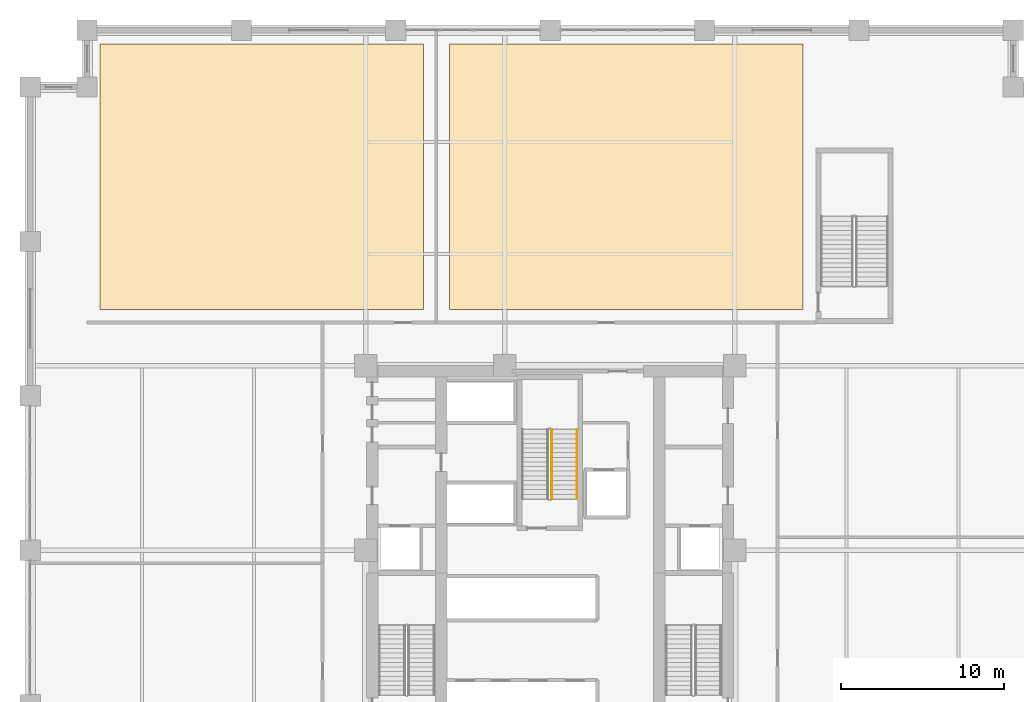
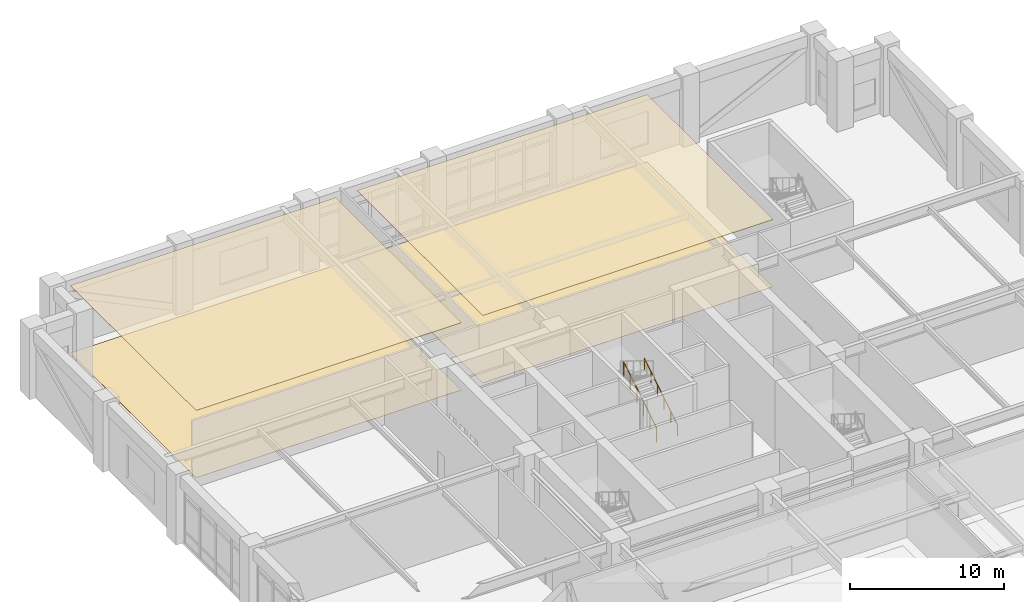
# One storey, part 20 of 21: 4 coverings, 2 railings.
"""IFC4 building model written with IfcOpenShell, lengths in metres."""

from ifc_helpers import new_model, si_unit, direction, frame, origin, origin_2d, place, context, subcontext, project, spatial, polyline, circle, outline, extrude, material, layer, layer_set, type_object, element, save


model = new_model("IFC4")

# Units and contexts
model_context = context("Model", 3, precision=1e-05, world=origin(), true_north=direction((0.0, 1.0)))
body_context = subcontext(model_context, "Body", "Model", "MODEL_VIEW")
ifc_project = project(units=[si_unit("LENGTHUNIT", "METRE"), si_unit("AREAUNIT", "SQUARE_METRE"), si_unit("VOLUMEUNIT", "CUBIC_METRE"), si_unit("PLANEANGLEUNIT", "RADIAN"), si_unit("MASSUNIT", "GRAM", prefix="KILO")], contexts=[model_context])

# Site, building, storey
site_placement = place(None, origin())
site = spatial("IfcSite", under=ifc_project, at=site_placement, CompositionType="ELEMENT")
building_placement = place(site_placement, origin())
building = spatial("IfcBuilding", under=site, at=building_placement, Name="Nhamokura Convention Tower", CompositionType="ELEMENT")
storey_placement = place(building_placement, frame((0.0, 0.0, 12.25)))
storey = spatial("IfcBuildingStorey", under=building, at=storey_placement, Name="L02", CompositionType="ELEMENT", Elevation=12.25)

# Coverings
ifc_material_1 = material(Name="Anodised bronze aluminium ceiling baffle", Category="aluminium")
ifc_layer_1 = layer(ifc_material_1, 0.0400390625)
ifc_layer_set_1 = layer_set([ifc_layer_1], Name="BronzeBaffleCeiling_40")
covering_type_1 = type_object("IfcCoveringType", Name="BronzeBaffleCeiling_40", PredefinedType="CEILING", material=ifc_layer_set_1)
covering_1_placement = place(storey_placement, frame((0.0, 0.0, 5.320068359375)))
element("IfcCovering", 1, at=covering_1_placement, inside=storey, type_object=covering_type_1, Name="L02 Suspended Ceiling 05", PredefinedType="CEILING", context=body_context, shape_type="SweptSolid", body=[
    extrude(outline(polyline([(4.300048828125, 46.800048828125), (24.199951171875, 46.800048828125), (24.199951171875, 63.139892578125), (4.300048828125, 63.139892578125), (4.300048828125, 46.800048828125)])), origin(), (0.0, 0.0, 1.0), 0.0400390625),
])
covering_2_placement = place(storey_placement, frame((0.0, 0.0, 5.320068359375)))
element("IfcCovering", 2, at=covering_2_placement, inside=storey, type_object=covering_type_1, Name="L02 Suspended Ceiling 06", PredefinedType="CEILING", context=body_context, shape_type="SweptSolid", body=[
    extrude(outline(polyline([(25.800048828125, 46.800048828125), (47.550048828125, 46.800048828125), (47.550048828125, 63.139892578125), (25.800048828125, 63.139892578125), (25.800048828125, 46.800048828125)])), origin(), (0.0, 0.0, 1.0), 0.0400390625),
])

# Railings
ifc_material_2 = material(Name="Anodised bronze stainless steel", Category="steel")
railing_type_1 = type_object("IfcRailingType", Name="StairWallHandrail_900", PredefinedType="HANDRAIL", material=ifc_material_2)
railing_1_placement = place(storey_placement, frame((33.64990234375, 35.14990234375, 0.175048828125)))
element("IfcRailing", 3, at=railing_1_placement, inside=storey, type_object=railing_type_1, Name="L02 ST-03 stair handrail 1", PredefinedType="HANDRAIL", context=body_context, shape_type="SweptSolid", body=[
    extrude(circle(Radius=0.02392578125, at=origin_2d()), frame((0.0, 0.0, 0.8759765625), z_axis=(0.0, 0.852179220489, 0.52325001306), x_axis=(-1.0, 0.0, 0.0)), (0.0, 0.0, 1.0), 5.0166015625),
    extrude(circle(Radius=0.02099609375, at=origin_2d()), origin(), (0.0, 0.0, 1.0), 0.851806640625),
    extrude(circle(Radius=0.02099609375, at=origin_2d()), frame((0.0, 0.85498046875, 0.52490234375)), (0.0, 0.0, 1.0), 0.851806640625),
    extrude(circle(Radius=0.02099609375, at=origin_2d()), frame((0.0, 1.7099609375, 1.050048828125)), (0.0, 0.0, 1.0), 0.851806640625),
    extrude(circle(Radius=0.02099609375, at=origin_2d()), frame((0.0, 2.565185546875, 1.574951171875)), (0.0, 0.0, 1.0), 0.851806640625),
    extrude(circle(Radius=0.02099609375, at=origin_2d()), frame((0.0, 3.420166015625, 2.10009765625)), (0.0, 0.0, 1.0), 0.851806640625),
    extrude(circle(Radius=0.02099609375, at=origin_2d()), frame((0.0, 4.275146484375, 2.625)), (0.0, 0.0, 1.0), 0.851806640625),
])
ifc_material_3 = material(Name="Painted tubular steel", Category="steel")
railing_type_2 = type_object("IfcRailingType", Name="StairWellGuardrail_1150", PredefinedType="GUARDRAIL", material=ifc_material_3)
railing_2_placement = place(storey_placement, frame((32.10009765625, 35.14990234375, 0.175048828125)))
element("IfcRailing", 4, at=railing_2_placement, inside=storey, type_object=railing_type_2, Name="L02 ST-03 stair guard 1", PredefinedType="GUARDRAIL", context=body_context, shape_type="SweptSolid", body=[
    extrude(circle(Radius=0.02392578125, at=origin_2d()), frame((0.0, 0.0, 1.1259765625), z_axis=(0.0, 0.852179220489, 0.52325001306), x_axis=(-1.0, 0.0, 0.0)), (0.0, 0.0, 1.0), 5.0166015625),
    extrude(circle(Radius=0.02099609375, at=origin_2d()), origin(), (0.0, 0.0, 1.0), 1.101806640625),
    extrude(circle(Radius=0.02099609375, at=origin_2d()), frame((0.0, 0.85498046875, 0.52490234375)), (0.0, 0.0, 1.0), 1.101806640625),
    extrude(circle(Radius=0.02099609375, at=origin_2d()), frame((0.0, 1.7099609375, 1.050048828125)), (0.0, 0.0, 1.0), 1.101806640625),
    extrude(circle(Radius=0.02099609375, at=origin_2d()), frame((0.0, 2.565185546875, 1.574951171875)), (0.0, 0.0, 1.0), 1.101806640625),
    extrude(circle(Radius=0.02099609375, at=origin_2d()), frame((0.0, 3.420166015625, 2.10009765625)), (0.0, 0.0, 1.0), 1.101806640625),
    extrude(circle(Radius=0.02099609375, at=origin_2d()), frame((0.0, 4.275146484375, 2.625)), (0.0, 0.0, 1.0), 1.101806640625),
])

# Coverings
ifc_material_4 = material(Name="Acoustic woven hospitality carpet", Category="wood")
ifc_layer_2 = layer(ifc_material_4, 0.014892578125)
ifc_layer_set_2 = layer_set([ifc_layer_2], Name="WovenCarpetFlooring_15")
covering_type_2 = type_object("IfcCoveringType", Name="WovenCarpetFlooring_15", PredefinedType="FLOORING", material=ifc_layer_set_2)
covering_3_placement = place(storey_placement, origin())
element("IfcCovering", 5, at=covering_3_placement, inside=storey, type_object=covering_type_2, Name="L02 Finish Flooring 05", PredefinedType="FLOORING", context=body_context, shape_type="SweptSolid", body=[
    extrude(outline(polyline([(4.300048828125, 46.800048828125), (24.199951171875, 46.800048828125), (24.199951171875, 63.139892578125), (4.300048828125, 63.139892578125), (4.300048828125, 46.800048828125)])), origin(), (0.0, 0.0, 1.0), 0.014892578125),
])
covering_4_placement = place(storey_placement, origin())
element("IfcCovering", 6, at=covering_4_placement, inside=storey, type_object=covering_type_2, Name="L02 Finish Flooring 06", PredefinedType="FLOORING", context=body_context, shape_type="SweptSolid", body=[
    extrude(outline(polyline([(25.800048828125, 46.800048828125), (47.550048828125, 46.800048828125), (47.550048828125, 63.139892578125), (25.800048828125, 63.139892578125), (25.800048828125, 46.800048828125)])), origin(), (0.0, 0.0, 1.0), 0.014892578125),
])

save(model, "model.ifc")
